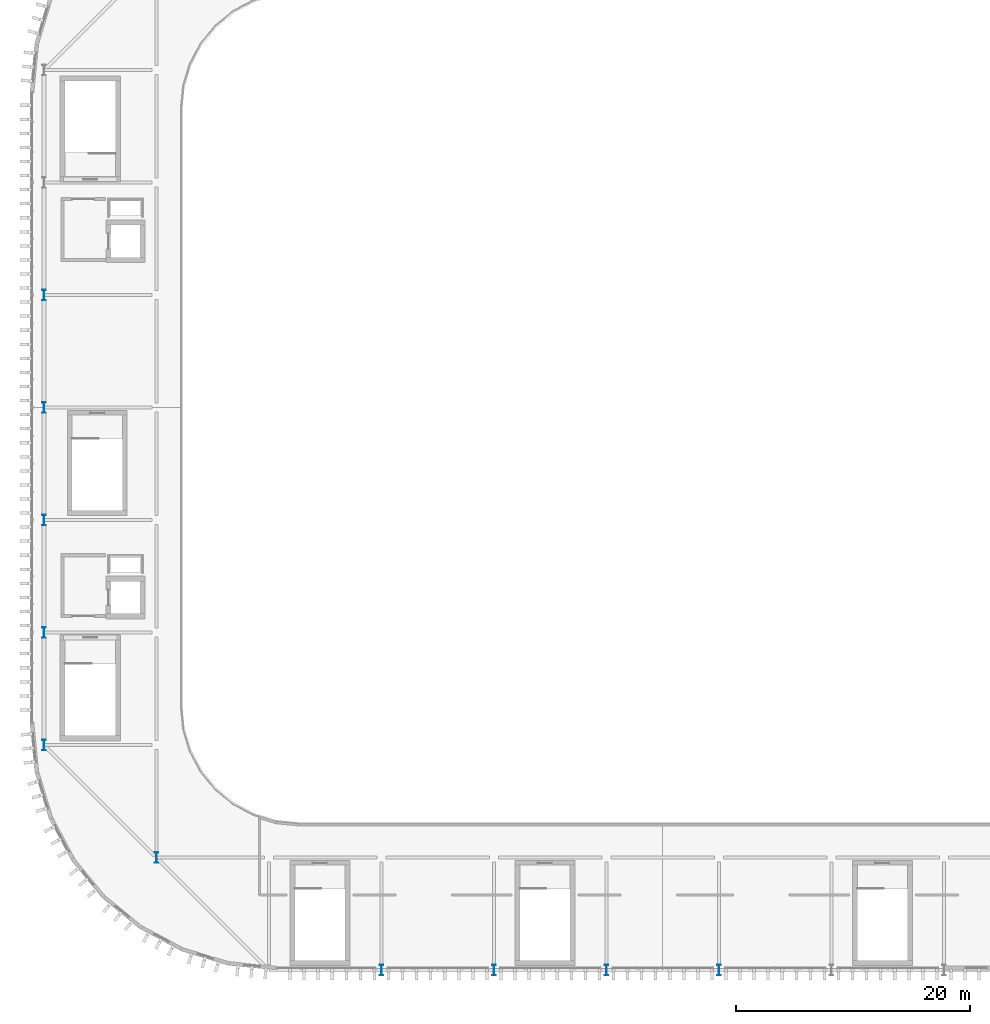
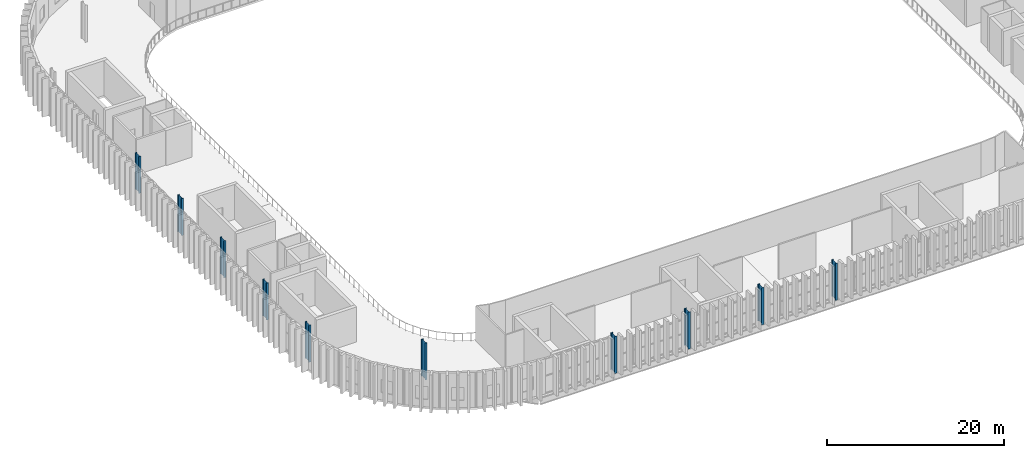
# One storey, part 1 of 45: 10 columns.
"""IFC4 building model written with IfcOpenShell, lengths in metres."""

import ifcopenshell
import ifcopenshell.guid

model = None  # the IFC model being written
_history = None  # IfcOwnerHistory: only IFC2X3 demands one
_inside = {}  # id of a spatial element -> (the spatial element, [elements in it])
_under = {}  # id of a project, library or spatial element -> (it, [spatial elements below it])
_declared = {}  # id of a project -> (the project, [libraries it declares])
_typed = {}  # id of a type object -> (the type object, [elements of that type])
_made_of = {}  # id of a material, layer set ... -> (it, [elements and type objects made of it])


def new_model(schema):
    """Start an empty IFC model of exactly this schema.

    Asked for "IFC4X3", IfcOpenShell would pick the latest addendum, in which some entities
    have other attributes; the version numbers below select the first issue.
    IFC2X3 requires an IfcOwnerHistory on every rooted entity: one is made here for all.
    """
    global model, _history
    if schema == "IFC4X3":
        model = ifcopenshell.file(schema_version=(4, 3, 0, 0))
    else:
        model = ifcopenshell.file(schema=schema)
    _inside.clear()
    _under.clear()
    _declared.clear()
    _typed.clear()
    _made_of.clear()
    _history = None
    if model.schema == "IFC2X3":
        org = make("IfcOrganization", Name="unknown")
        user = make(
            "IfcPersonAndOrganization",
            ThePerson=make("IfcPerson", FamilyName="unknown"),
            TheOrganization=org,
        )
        app = make(
            "IfcApplication",
            ApplicationDeveloper=org,
            Version="unknown",
            ApplicationFullName="unknown",
            ApplicationIdentifier="unknown",
        )
        _history = make(
            "IfcOwnerHistory",
            OwningUser=user,
            OwningApplication=app,
            ChangeAction="ADDED",
            CreationDate=0,
        )
    return model


def make(cls, **values):
    """One entity of the class cls with the attributes given. An attribute that is None is left unset."""
    return model.create_entity(
        cls, **{name: value for name, value in values.items() if value is not None}
    )


def rooted(cls, **values):
    """An entity with a GlobalId (a new one), such as an element, a storey or a relation."""
    return make(cls, GlobalId=ifcopenshell.guid.new(), OwnerHistory=_history, **values)


def si_unit(unit_type, name, prefix=None):
    """IfcSIUnit, for example si_unit("LENGTHUNIT", "METRE", prefix="MILLI")."""
    return make("IfcSIUnit", UnitType=unit_type, Prefix=prefix, Name=name)


def assignment(units):
    """IfcUnitAssignment: the units of a project."""
    return None if units is None else make("IfcUnitAssignment", Units=units)


def point(xyz):
    """IfcCartesianPoint."""
    return None if xyz is None else make("IfcCartesianPoint", Coordinates=xyz)


def direction(xyz):
    """IfcDirection."""
    return None if xyz is None else make("IfcDirection", DirectionRatios=xyz)


def frame(location, z_axis=None, x_axis=None):
    """IfcAxis2Placement3D, a coordinate frame: its origin and axes. An axis left out is left unset."""
    return make(
        "IfcAxis2Placement3D",
        Location=point(location),
        Axis=direction(z_axis),
        RefDirection=direction(x_axis),
    )


def frame_2d(location, x_axis=None):
    """IfcAxis2Placement2D, a coordinate frame in the plane: its origin and x axis."""
    return make(
        "IfcAxis2Placement2D", Location=point(location), RefDirection=direction(x_axis)
    )


def origin():
    """The frame at (0, 0, 0) with its axes left unset."""
    return frame((0.0, 0.0, 0.0))


def origin_2d():
    """The frame at (0, 0) in the plane with its x axis left unset."""
    return frame_2d((0.0, 0.0))


def place(relative_to, where):
    """IfcLocalPlacement: puts the frame where relative to a parent placement (None: the world)."""
    return make(
        "IfcLocalPlacement", PlacementRelTo=relative_to, RelativePlacement=where
    )


def context(
    kind, dimensions, precision=None, world=None, true_north=None, identifier=None
):
    """IfcGeometricRepresentationContext, for example the 3D "Model" context."""
    return make(
        "IfcGeometricRepresentationContext",
        ContextIdentifier=identifier,
        ContextType=kind,
        CoordinateSpaceDimension=dimensions,
        Precision=precision,
        WorldCoordinateSystem=world,
        TrueNorth=true_north,
    )


def subcontext(parent, identifier, kind, view, scale=None):
    """IfcGeometricRepresentationSubContext, for example "Body" below "Model"."""
    return make(
        "IfcGeometricRepresentationSubContext",
        ContextIdentifier=identifier,
        ContextType=kind,
        ParentContext=parent,
        TargetScale=scale,
        TargetView=view,
    )


def project(units=None, contexts=None):
    """IfcProject with its units and contexts."""
    return rooted(
        "IfcProject",
        Name="project",
        RepresentationContexts=contexts,
        UnitsInContext=assignment(units),
    )


def spatial(cls, under=None, at=None, **own):
    """A site, building, storey or space (cls), placed at a placement, below another one or the project."""
    s = rooted(cls, ObjectPlacement=at, **own)
    if under is not None:
        _under.setdefault(under.id(), (under, []))[1].append(s)
    return s


def profile(cls, at=None, kind="AREA", **sizes):
    """A parametric profile (cls). Its sizes go by their IFC names, for example OverallWidth=200.0."""
    return make(cls, ProfileType=kind, Position=at, **sizes)


def i_section(**sizes):
    """IfcIShapeProfileDef."""
    return profile("IfcIShapeProfileDef", **sizes)


def extrude(swept, where, along, depth):
    """IfcExtrudedAreaSolid: the profile swept, set in the frame where, extruded along a direction by depth."""
    return make(
        "IfcExtrudedAreaSolid",
        SweptArea=swept,
        Position=where,
        ExtrudedDirection=direction(along),
        Depth=depth,
    )


def shape(context_of_items, identifier, shape_type, items):
    """IfcShapeRepresentation: the items that make up one representation, for example the "Body"."""
    return make(
        "IfcShapeRepresentation",
        ContextOfItems=context_of_items,
        RepresentationIdentifier=identifier,
        RepresentationType=shape_type,
        Items=items,
    )


def material(Name=None, Category=None):
    """IfcMaterial."""
    return make("IfcMaterial", Name=Name, Category=Category)


def material_profile(
    of_material, cross_section, Name=None, Category=None, Priority=None
):
    """IfcMaterialProfile: a cross section and its material."""
    return make(
        "IfcMaterialProfile",
        Name=Name,
        Material=of_material,
        Profile=cross_section,
        Priority=Priority,
        Category=Category,
    )


def profile_set(profiles, Name=None, composite=None):
    """IfcMaterialProfileSet."""
    return make(
        "IfcMaterialProfileSet",
        Name=Name,
        MaterialProfiles=profiles,
        CompositeProfile=composite,
    )


def made_of(thing, what):
    """Note that an element or type object is made of a material, layer set ...; save() writes the relation."""
    if what is not None:
        _made_of.setdefault(what.id(), (what, []))[1].append(thing)
    return thing


def type_object(cls, material=None, **own):
    """A type object (cls), such as IfcWallType, which elements share."""
    return made_of(rooted(cls, **own), material)


def element(
    cls,
    number,
    at=None,
    inside=None,
    cuts=None,
    type_object=None,
    material=None,
    context=None,
    identifier="Body",
    shape_type=None,
    held_by="IfcProductDefinitionShape",
    body=None,
    shapes=None,
    **own,
):
    """One element of the class cls, such as IfcWall. Its Tag is "e" and its number.

    at: its placement. inside: the storey or other place that contains it. cuts: it is an
    opening in that element (IfcRelVoidsElement). A single representation is given by context,
    identifier, shape_type and body (its items); several are given by shapes. held_by: the class
    of the entity that holds the representations. save() writes the other relations.
    """
    e = rooted(cls, Tag="e%d" % number, ObjectPlacement=at, **own)
    if body is not None:
        shapes = [shape(context, identifier, shape_type, body)]
    if shapes is not None:
        e.Representation = make(held_by, Representations=shapes)
    if inside is not None:
        _inside.setdefault(inside.id(), (inside, []))[1].append(e)
    if cuts is not None:
        rooted(
            "IfcRelVoidsElement", RelatingBuildingElement=cuts, RelatedOpeningElement=e
        )
    if type_object is not None:
        _typed.setdefault(type_object.id(), (type_object, []))[1].append(e)
    return made_of(e, material)


def aggregate(whole, parts):
    """IfcRelAggregates: a whole, such as a stair, and the parts it consists of."""
    return rooted("IfcRelAggregates", RelatingObject=whole, RelatedObjects=parts)


def save(model, path):
    """Write the relations noted so far, then the file.

    IfcRelAggregates (storeys below a building ...), IfcRelContainedInSpatialStructure (elements
    in a storey), IfcRelDefinesByType, IfcRelAssociatesMaterial and IfcRelDeclares: one each for
    every whole, place, type object, material and project.
    """
    for whole, parts in _under.values():
        aggregate(whole, parts)
    for where, things in _inside.values():
        rooted(
            "IfcRelContainedInSpatialStructure",
            RelatedElements=things,
            RelatingStructure=where,
        )
    for kind, things in _typed.values():
        rooted("IfcRelDefinesByType", RelatedObjects=things, RelatingType=kind)
    for what, things in _made_of.values():
        rooted("IfcRelAssociatesMaterial", RelatedObjects=things, RelatingMaterial=what)
    for by, libraries in _declared.values():
        rooted("IfcRelDeclares", RelatingContext=by, RelatedDefinitions=libraries)
    model.write(path)


model = new_model("IFC4")

# Units and contexts
model_context = context("Model", 3, precision=1e-05, world=origin(), true_north=direction((0.0, 1.0)))
body_context = subcontext(model_context, "Body", "Model", "MODEL_VIEW")
ifc_project = project(units=[si_unit("LENGTHUNIT", "METRE"), si_unit("AREAUNIT", "SQUARE_METRE"), si_unit("VOLUMEUNIT", "CUBIC_METRE"), si_unit("PLANEANGLEUNIT", "RADIAN"), si_unit("MASSUNIT", "GRAM", prefix="KILO")], contexts=[model_context])

# Site, building, storey
site_placement = place(None, origin())
site = spatial("IfcSite", under=ifc_project, at=site_placement, CompositionType="ELEMENT")
building_placement = place(site_placement, origin())
building = spatial("IfcBuilding", under=site, at=building_placement, Name="Caelomonte Colonnade Arena", CompositionType="ELEMENT")
storey_placement = place(building_placement, frame((0.0, 0.0, 23.10009765625)))
storey = spatial("IfcBuildingStorey", under=building, at=storey_placement, Name="L05", CompositionType="ELEMENT", Elevation=23.10009765625)

# Columns
ifc_material = material(Name="Wide-flange steel ASTM A992 Grade 50", Category="steel")
ifc_material_profile = material_profile(ifc_material, i_section(OverallWidth=0.3046875, OverallDepth=0.914306640625, WebThickness=0.0166015625, FlangeThickness=0.02587890625, FilletRadius=0.020263671875, at=origin_2d()), Name="W36X160")
ifc_profile_set = profile_set([ifc_material_profile], Name="Wide-flange steel ASTM A992 Grade 50")
column_type = type_object("IfcColumnType", Name="STR-COL-W36C", PredefinedType="COLUMN", material=ifc_profile_set)
for number, where, z_axis, x_axis, name in (
    (1, (57.60009765625, 38.39990234375, 0.0), (0.0, 0.0, 1.0), (1.0, 0.0, 0.0), "L05 column (57.6, 38.4)"),
    (2, (57.60009765625, 48.0, 0.0), (0.0, 0.0, 1.0), (1.0, 0.0, 0.0), "L05 column (57.6, 48.0)"),
    (3, (57.60009765625, 57.60009765625, 0.0), (0.0, 0.0, 1.0), (1.0, 0.0, 0.0), "L05 column (57.6, 57.6)"),
    (4, (57.60009765625, 67.199951171875, 0.0), (0.0, 0.0, 1.0), (1.0, 0.0, 0.0), "L05 column (57.6, 67.2)"),
    (5, (57.60009765625, 76.800048828125, 0.0), (0.0, 0.0, 1.0), (1.0, 0.0, 0.0), "L05 column (57.6, 76.8)"),
    (6, (67.199951171875, 28.800048828125, 0.0), (0.0, 0.0, 1.0), (1.0, 0.0, 0.0), "L05 column (67.2, 28.8)"),
    (7, (86.39990234375, 19.199951171875, 0.0), (0.0, 0.0, 1.0), (1.0, 0.0, 0.0), "L05 column (86.4, 19.2)"),
    (8, (96.0, 19.199951171875, 0.0), (0.0, 0.0, 1.0), (1.0, 0.0, 0.0), "L05 column (96.0, 19.2)"),
    (9, (105.60009765625, 19.199951171875, 0.0), (0.0, 0.0, 1.0), (1.0, 0.0, 0.0), "L05 column (105.6, 19.2)"),
    (10, (115.199951171875, 19.199951171875, 0.0), (0.0, 0.0, 1.0), (1.0, 0.0, 0.0), "L05 column (115.2, 19.2)"),
):
    element("IfcColumn", number, at=place(storey_placement, frame(where, z_axis=z_axis, x_axis=x_axis)), inside=storey, type_object=column_type, Name=name, PredefinedType="COLUMN", context=body_context, shape_type="SweptSolid", body=[
        extrude(i_section(OverallWidth=0.3046875, OverallDepth=0.914306640625, WebThickness=0.0166015625, FlangeThickness=0.02587890625, FilletRadius=0.020263671875, at=origin_2d()), origin(), (0.0, 0.0, 1.0), 5.099853515625),
    ])

save(model, "model.ifc")
